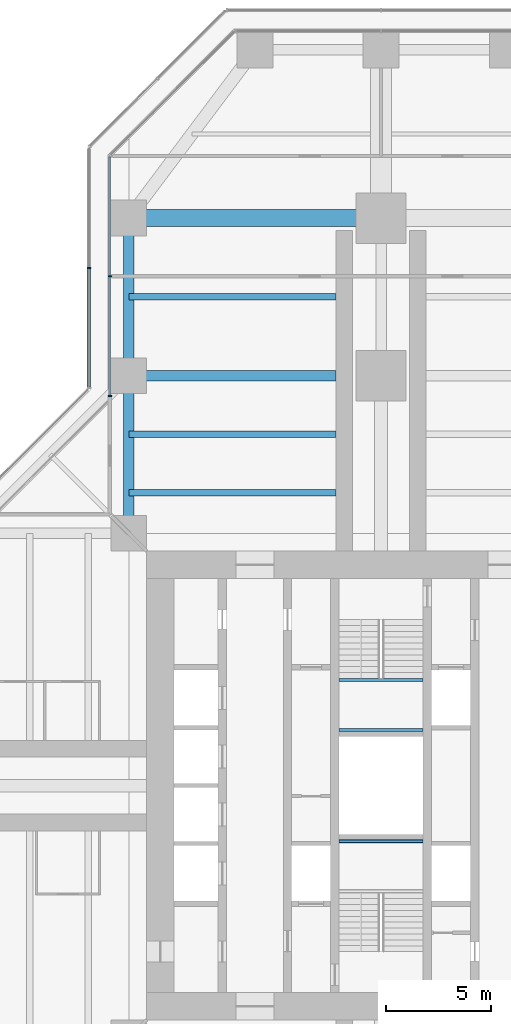
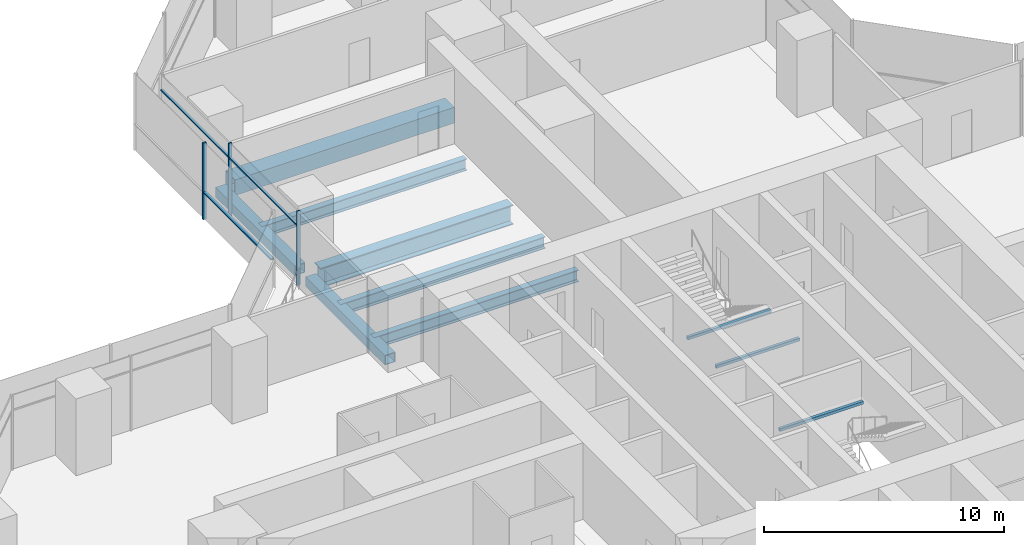
# One storey, part 9 of 22: 10 beams, 6 members, 2 elements without a shape of their own.
"""IFC4 building model written with IfcOpenShell, lengths in metres."""

from ifc_helpers import new_model, si_unit, direction, frame, origin, origin_2d, place, context, subcontext, project, spatial, rectangle, hollow_rectangle, i_section, extrude, material, material_profile, profile_set, type_object, element, aggregate, save


model = new_model("IFC4")

# Units and contexts
model_context = context("Model", 3, precision=1e-05, world=origin(), true_north=direction((0.0, 1.0)))
body_context = subcontext(model_context, "Body", "Model", "MODEL_VIEW")
ifc_project = project(units=[si_unit("LENGTHUNIT", "METRE"), si_unit("AREAUNIT", "SQUARE_METRE"), si_unit("VOLUMEUNIT", "CUBIC_METRE"), si_unit("PLANEANGLEUNIT", "RADIAN"), si_unit("MASSUNIT", "GRAM", prefix="KILO")], contexts=[model_context])

# Site, building, storey
site_placement = place(None, origin())
site = spatial("IfcSite", under=ifc_project, at=site_placement, CompositionType="ELEMENT")
building_placement = place(site_placement, origin())
building = spatial("IfcBuilding", under=site, at=building_placement, Name="Mizan Broadcast Tower", CompositionType="ELEMENT")
storey_placement = place(building_placement, frame((0.0, 0.0, 98.10009765625)))
storey = spatial("IfcBuildingStorey", under=building, at=storey_placement, Name="L21", CompositionType="ELEMENT", Elevation=98.10009765625)

# Beams
ifc_material_1 = material(Name="Steel S355", Category="steel")
ifc_material_profile_1 = material_profile(ifc_material_1, hollow_rectangle(XDim=0.5, YDim=0.5, WallThickness=0.030029296875, at=origin_2d()), Name="BOX 500x500x30")
ifc_profile_set_1 = profile_set([ifc_material_profile_1], Name="Steel S355")
beam_type_1 = type_object("IfcBeamType", Name="EDGE BEAM BOX 500x500x30", PredefinedType="SPANDREL", material=ifc_profile_set_1)
for number, where, z_axis, x_axis, name in (
    (1, (-12.0, 12.449951171875, -0.380126953125), (0.0, 1.0, 0.0), (-1.0, 0.0, 0.0), "Edge beam BOX 500x500x30 L21 north arm"),
    (2, (-12.0, 19.949951171875, -0.380126953125), (0.0, 1.0, 0.0), (-1.0, 0.0, 0.0), "Edge beam BOX 500x500x30 L21 north arm"),
):
    element("IfcBeam", number, at=place(storey_placement, frame(where, z_axis=z_axis, x_axis=x_axis)), inside=storey, type_object=beam_type_1, Name=name, PredefinedType="SPANDREL", context=body_context, shape_type="SweptSolid", body=[
        extrude(hollow_rectangle(XDim=0.5, YDim=0.5, WallThickness=0.030029296875, at=origin_2d()), origin(), (0.0, 0.0, 1.0), 6.60009765625),
    ])
ifc_material_2 = material(Name="Steel S460", Category="steel")
ifc_material_profile_2 = material_profile(ifc_material_2, hollow_rectangle(XDim=0.800048828125, YDim=0.800048828125, WallThickness=0.050048828125, at=origin_2d()), Name="BOX 800x800x50")
ifc_profile_set_2 = profile_set([ifc_material_profile_2], Name="Steel S460")
beam_type_2 = type_object("IfcBeamType", Name="GIRDER BOX 800x800x50", PredefinedType="BEAM", material=ifc_profile_set_2)
beam_1_placement = place(storey_placement, frame((-11.280029296875, 27.0, -0.530029296875), z_axis=(1.0, 0.0, 0.0), x_axis=(0.0, 1.0, 0.0)))
element("IfcBeam", 3, at=beam_1_placement, inside=storey, type_object=beam_type_2, Name="Girder BOX 800x800x50 L21 north arm", PredefinedType="BEAM", context=body_context, shape_type="SweptSolid", body=[
    extrude(hollow_rectangle(XDim=0.800048828125, YDim=0.800048828125, WallThickness=0.050048828125, at=origin_2d()), origin(), (0.0, 0.0, 1.0), 10.56005859375),
])
ifc_material_3 = material(Name="Steel S460", Category="steel")
ifc_material_profile_3 = material_profile(ifc_material_3, i_section(OverallWidth=0.5, OverallDepth=1.0, WebThickness=0.02490234375, FlangeThickness=0.050048828125, at=origin_2d()), Name="WPG 1000x500")
ifc_profile_set_3 = profile_set([ifc_material_profile_3], Name="Steel S460")
beam_type_3 = type_object("IfcBeamType", Name="GIRDER WPG 1000x500", PredefinedType="BEAM", material=ifc_profile_set_3)
beam_2_placement = place(storey_placement, frame((-11.408935546875, 19.5, -0.630126953125), z_axis=(1.0, 0.0, 0.0), x_axis=(0.0, 1.0, 0.0)))
element("IfcBeam", 4, at=beam_2_placement, inside=storey, type_object=beam_type_3, Name="Girder WPG 1000x500 L21 north arm", PredefinedType="BEAM", context=body_context, shape_type="SweptSolid", body=[
    extrude(i_section(OverallWidth=0.5, OverallDepth=1.0, WebThickness=0.02490234375, FlangeThickness=0.050048828125, at=origin_2d()), origin(), (0.0, 0.0, 1.0), 9.259033203125),
])

# Curtain wall, members
ifc_material_4 = material(Name="Aluminium framed glazing", Category="aluminium")
curtain_wall_type_1 = type_object("IfcCurtainWallType", Name="INNER SKIN LOW ZONE", PredefinedType="USERDEFINED", material=ifc_material_4)
curtain_wall_1_placement = place(storey_placement, origin())
curtain_wall_1 = element("IfcCurtainWall", 5, at=curtain_wall_1_placement, inside=storey, type_object=curtain_wall_type_1, Name="Inner skin low zone L21 N side", ObjectType="INNER SKIN LOW ZONE", PredefinedType="USERDEFINED")
ifc_material_5 = material(Name="Aluminium, pale anodised", Category="aluminium")
ifc_material_profile_4 = material_profile(ifc_material_5, rectangle(XDim=0.159912109375, YDim=0.06005859375, at=origin_2d()), Name="MULLION 160x60")
ifc_profile_set_4 = profile_set([ifc_material_profile_4], Name="Aluminium, pale anodised")
member_type_1 = type_object("IfcMemberType", Name="INNER SKIN MULLION 60x160", PredefinedType="MULLION", material=ifc_profile_set_4)
member_1_placement = place(storey_placement, frame((-12.89990234375, 24.229248046875, 0.0), z_axis=(0.0, 0.0, 1.0), x_axis=(1.0, 0.0, 0.0)))
member_1 = element("IfcMember", 6, at=member_1_placement, type_object=member_type_1, Name="Inner skin low zone L21 N side mullion 2", PredefinedType="MULLION", context=body_context, shape_type="SweptSolid", body=[
    extrude(rectangle(XDim=0.159912109375, YDim=0.06005859375, at=origin_2d()), origin(), (0.0, 0.0, 1.0), 3.77001953125),
])
member_2_placement = place(storey_placement, frame((-12.89990234375, 18.530029296875, 0.0), z_axis=(0.0, 0.0, 1.0), x_axis=(1.0, 0.0, 0.0)))
member_2 = element("IfcMember", 7, at=member_2_placement, type_object=member_type_1, Name="Inner skin low zone L21 N side mullion 3", PredefinedType="MULLION", context=body_context, shape_type="SweptSolid", body=[
    extrude(rectangle(XDim=0.159912109375, YDim=0.06005859375, at=origin_2d()), origin(), (0.0, 0.0, 1.0), 3.77001953125),
])
ifc_material_6 = material(Name="Aluminium, pale anodised", Category="aluminium")
ifc_material_profile_5 = material_profile(ifc_material_6, rectangle(XDim=0.1201171875, YDim=0.06005859375, at=origin_2d()), Name="TRANSOM 120x60")
ifc_profile_set_5 = profile_set([ifc_material_profile_5], Name="Aluminium, pale anodised")
member_type_2 = type_object("IfcMemberType", Name="INNER SKIN TRANSOM 60x120", PredefinedType="USERDEFINED", material=ifc_profile_set_5)
member_3_placement = place(storey_placement, frame((-12.89990234375, 29.898681640625, 3.02978515625), z_axis=(0.0, -1.0, 0.0), x_axis=(1.0, 0.0, 0.0)))
member_3 = element("IfcMember", 8, at=member_3_placement, type_object=member_type_2, Name="Inner skin low zone L21 N side transom 1.1", ObjectType="TRANSOM", PredefinedType="USERDEFINED", context=body_context, shape_type="SweptSolid", body=[
    extrude(rectangle(XDim=0.1201171875, YDim=0.06005859375, at=origin_2d()), origin(), (0.0, 0.0, 1.0), 5.639404296875),
])
member_4_placement = place(storey_placement, frame((-12.89990234375, 24.19921875, 3.02978515625), z_axis=(0.0, -1.0, 0.0), x_axis=(1.0, 0.0, 0.0)))
member_4 = element("IfcMember", 9, at=member_4_placement, type_object=member_type_2, Name="Inner skin low zone L21 N side transom 2.1", ObjectType="TRANSOM", PredefinedType="USERDEFINED", context=body_context, shape_type="SweptSolid", body=[
    extrude(rectangle(XDim=0.1201171875, YDim=0.06005859375, at=origin_2d()), origin(), (0.0, 0.0, 1.0), 5.63916015625),
])
aggregate(curtain_wall_1, [member_1, member_2, member_3, member_4])

# Beams
ifc_material_7 = material(Name="Steel S355", Category="steel")
ifc_material_profile_6 = material_profile(ifc_material_7, hollow_rectangle(XDim=0.14990234375, YDim=0.14990234375, WallThickness=0.008056640625, InnerFilletRadius=0.008056640625, OuterFilletRadius=0.011962890625, at=origin_2d()), Name="SHS 150x150x8")
ifc_profile_set_6 = profile_set([ifc_material_profile_6], Name="Steel S355")
beam_type_4 = type_object("IfcBeamType", Name="LANDING TRIMMER SHS 150x150x8", PredefinedType="BEAM", material=ifc_profile_set_6)
for number, where, z_axis, x_axis, name in (
    (10, (-2.0, -2.64990234375, 1.6748046875), (1.0, 0.0, 0.0), (0.0, 1.0, 0.0), "Stair A landing trimmer L21"),
    (11, (2.0, 5.02490234375, 1.6748046875), (-1.0, 0.0, 0.0), (0.0, -1.0, 0.0), "Stair B landing trimmer L21"),
    (12, (2.0, 2.64990234375, 1.6748046875), (-1.0, 0.0, 0.0), (0.0, -1.0, 0.0), "Stair B landing trimmer L21"),
):
    element("IfcBeam", number, at=place(storey_placement, frame(where, z_axis=z_axis, x_axis=x_axis)), inside=storey, type_object=beam_type_4, Name=name, PredefinedType="BEAM", context=body_context, shape_type="SweptSolid", body=[
        extrude(hollow_rectangle(XDim=0.14990234375, YDim=0.14990234375, WallThickness=0.008056640625, InnerFilletRadius=0.008056640625, OuterFilletRadius=0.011962890625, at=origin_2d()), origin(), (0.0, 0.0, 1.0), 4.0),
    ])

# Curtain wall, members
ifc_material_8 = material(Name="Aluminium framed glazing", Category="aluminium")
curtain_wall_type_2 = type_object("IfcCurtainWallType", Name="OUTER SKIN", PredefinedType="USERDEFINED", material=ifc_material_8)
curtain_wall_2_placement = place(storey_placement, origin())
curtain_wall_2 = element("IfcCurtainWall", 13, at=curtain_wall_2_placement, inside=storey, type_object=curtain_wall_type_2, Name="Outer skin L21 N side", ObjectType="OUTER SKIN", PredefinedType="USERDEFINED")
ifc_material_9 = material(Name="Aluminium, pale anodised", Category="aluminium")
ifc_material_profile_7 = material_profile(ifc_material_9, rectangle(XDim=0.159912109375, YDim=0.080078125, at=origin_2d()), Name="MULLION 160x80")
ifc_profile_set_7 = profile_set([ifc_material_profile_7], Name="Aluminium, pale anodised")
member_type_3 = type_object("IfcMemberType", Name="OUTER SKIN MULLION 80x160", PredefinedType="MULLION", material=ifc_profile_set_7)
member_5_placement = place(storey_placement, frame((-13.89990234375, 24.622802734375, 0.0), z_axis=(0.0, 0.0, 1.0), x_axis=(1.0, 0.0, 0.0)))
member_5 = element("IfcMember", 14, at=member_5_placement, type_object=member_type_3, Name="Outer skin L21 N side mullion 2", PredefinedType="MULLION", context=body_context, shape_type="SweptSolid", body=[
    extrude(rectangle(XDim=0.159912109375, YDim=0.080078125, at=origin_2d()), origin(), (0.0, 0.0, 1.0), 3.89990234375),
])
ifc_material_10 = material(Name="Aluminium, pale anodised", Category="aluminium")
ifc_material_profile_8 = material_profile(ifc_material_10, rectangle(XDim=0.159912109375, YDim=0.06005859375, at=origin_2d()), Name="TRANSOM 160x60")
ifc_profile_set_8 = profile_set([ifc_material_profile_8], Name="Aluminium, pale anodised")
member_type_4 = type_object("IfcMemberType", Name="OUTER SKIN TRANSOM 60x160", PredefinedType="USERDEFINED", material=ifc_profile_set_8)
member_6_placement = place(storey_placement, frame((-13.89990234375, 24.582763671875, 1.39990234375), z_axis=(0.0, -1.0, 0.0), x_axis=(1.0, 0.0, 0.0)))
member_6 = element("IfcMember", 15, at=member_6_placement, type_object=member_type_4, Name="Outer skin L21 N side transom 2.1", ObjectType="TRANSOM", PredefinedType="USERDEFINED", context=body_context, shape_type="SweptSolid", body=[
    extrude(rectangle(XDim=0.159912109375, YDim=0.06005859375, at=origin_2d()), origin(), (0.0, 0.0, 1.0), 5.6298828125),
])
aggregate(curtain_wall_2, [member_5, member_6])

# Beams
ifc_material_11 = material(Name="Steel S355", Category="steel")
ifc_material_profile_9 = material_profile(ifc_material_11, i_section(OverallWidth=0.300048828125, OverallDepth=0.590087890625, WebThickness=0.012939453125, FlangeThickness=0.02490234375, FilletRadius=0.027099609375, at=origin_2d()), Name="HEA 600")
ifc_profile_set_9 = profile_set([ifc_material_profile_9], Name="Steel S355")
beam_type_5 = type_object("IfcBeamType", Name="SECONDARY BEAM HEA 600", PredefinedType="JOIST", material=ifc_profile_set_9)
for number, where, z_axis, x_axis, name in (
    (16, (-12.0, 13.933349609375, -0.425048828125), (1.0, 0.0, 0.0), (0.0, 1.0, 0.0), "Secondary beam HEA 600 L21 north arm"),
    (17, (-12.0, 16.716552734375, -0.425048828125), (1.0, 0.0, 0.0), (0.0, 1.0, 0.0), "Secondary beam HEA 600 L21 north arm"),
    (18, (-12.0, 23.25, -0.425048828125), (1.0, 0.0, 0.0), (0.0, 1.0, 0.0), "Secondary beam HEA 600 L21 north arm"),
):
    element("IfcBeam", number, at=place(storey_placement, frame(where, z_axis=z_axis, x_axis=x_axis)), inside=storey, type_object=beam_type_5, Name=name, PredefinedType="JOIST", context=body_context, shape_type="SweptSolid", body=[
        extrude(i_section(OverallWidth=0.300048828125, OverallDepth=0.590087890625, WebThickness=0.012939453125, FlangeThickness=0.02490234375, FilletRadius=0.027099609375, at=origin_2d()), origin(), (0.0, 0.0, 1.0), 9.85009765625),
    ])

save(model, "model.ifc")
